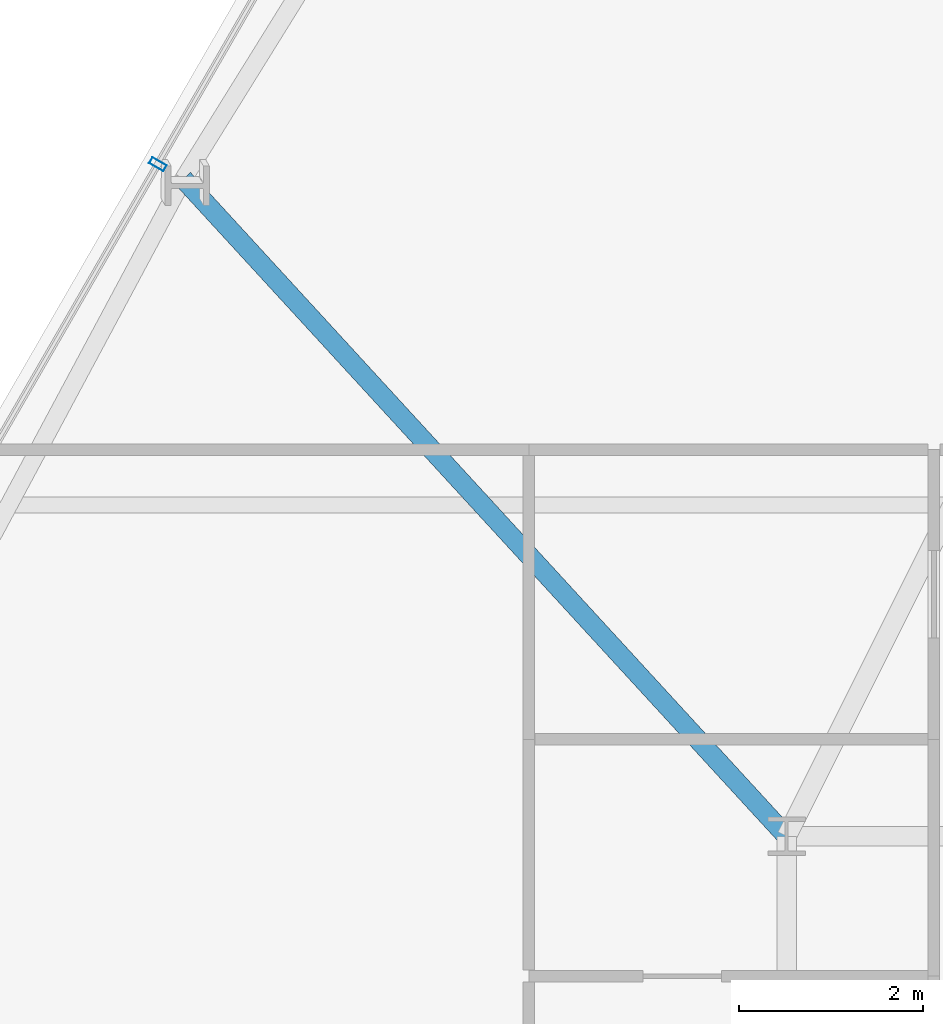
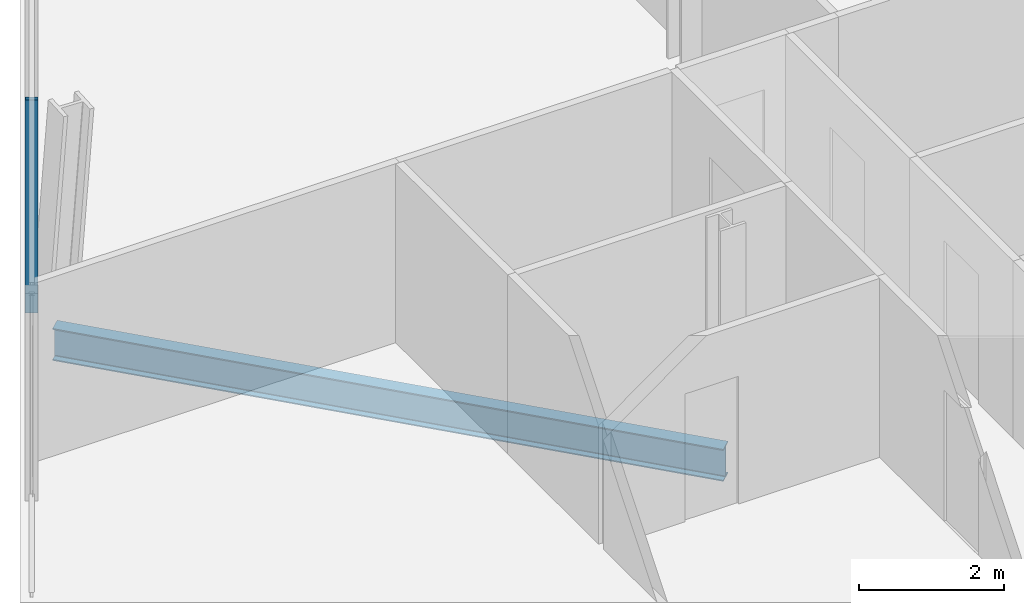
# One storey, part 12 of 32: 1 beam, 1 member, 1 element without a shape of its own.
"""IFC4 building model written with IfcOpenShell, lengths in metres."""

from ifc_helpers import new_model, si_unit, direction, frame, origin, origin_2d, place, context, subcontext, project, spatial, hollow_rectangle, i_section, extrude, material, layer, layer_set, material_profile, profile_set, type_object, element, aggregate, save


model = new_model("IFC4")

# Units and contexts
model_context = context("Model", 3, precision=1e-05, world=origin(), true_north=direction((0.0, 1.0)))
body_context = subcontext(model_context, "Body", "Model", "MODEL_VIEW")
ifc_project = project(units=[si_unit("LENGTHUNIT", "METRE"), si_unit("AREAUNIT", "SQUARE_METRE"), si_unit("VOLUMEUNIT", "CUBIC_METRE"), si_unit("PLANEANGLEUNIT", "RADIAN"), si_unit("MASSUNIT", "GRAM", prefix="KILO")], contexts=[model_context])

# Site, building, storey
site_placement = place(None, origin())
site = spatial("IfcSite", under=ifc_project, at=site_placement, CompositionType="ELEMENT")
building_placement = place(site_placement, origin())
building = spatial("IfcBuilding", under=site, at=building_placement, Name="Ndaravel Arena Tower", CompositionType="ELEMENT")
storey_placement = place(building_placement, frame((0.0, 0.0, 157.39990234375)))
storey = spatial("IfcBuildingStorey", under=building, at=storey_placement, Name="L37", CompositionType="ELEMENT", Elevation=157.39990234375)

# Beam
ifc_material_1 = material(Name="Steel S355", Category="steel")
ifc_material_profile_1 = material_profile(ifc_material_1, i_section(OverallWidth=0.210693359375, OverallDepth=0.53955078125, WebThickness=0.01171875, FlangeThickness=0.018798828125, FilletRadius=0.0126953125, at=origin_2d()), Name="UB 533x210x109")
ifc_profile_set_1 = profile_set([ifc_material_profile_1], Name="Steel S355")
beam_type = type_object("IfcBeamType", Name="BM-GIRD-UB533", PredefinedType="BEAM", material=ifc_profile_set_1)
beam_placement = place(storey_placement, frame((27.647216796875, 30.339599609375, -0.489501953125), z_axis=(0.676176261824, -0.736739888255, 0.0), x_axis=(0.736739888255, 0.676176261824, 0.0)))
element("IfcBeam", 1, at=beam_placement, inside=storey, type_object=beam_type, Name="L37 Radial Floor Girder FG-19", PredefinedType="BEAM", context=body_context, shape_type="SweptSolid", body=[
    extrude(i_section(OverallWidth=0.210693359375, OverallDepth=0.53955078125, WebThickness=0.01171875, FlangeThickness=0.018798828125, FilletRadius=0.0126953125, at=origin_2d()), origin(), (0.0, 0.0, 1.0), 9.69091796875),
])

# Curtain wall, member
ifc_material_2 = material(Name="Aluminium", Category="aluminium")
ifc_layer = layer(ifc_material_2, 0.179931640625)
ifc_layer_set = layer_set([ifc_layer], Name="Aluminium")
curtain_wall_type = type_object("IfcCurtainWallType", Name="CW-SYS-03", PredefinedType="NOTDEFINED", material=ifc_layer_set)
curtain_wall_placement = place(storey_placement, origin())
curtain_wall = element("IfcCurtainWall", 2, at=curtain_wall_placement, inside=storey, type_object=curtain_wall_type, Name="L37 Faceted Crystal Curtain Wall CW-L37-E05", PredefinedType="NOTDEFINED")
ifc_material_3 = material(Name="Aluminium", Category="aluminium")
ifc_material_profile_2 = material_profile(ifc_material_3, hollow_rectangle(XDim=0.074951171875, YDim=0.179931640625, WallThickness=0.00390625, at=origin_2d()), Name="CW MULLION 75x180x4")
ifc_profile_set_2 = profile_set([ifc_material_profile_2], Name="Aluminium")
member_type = type_object("IfcMemberType", Name="MEM-CW-MUL180", PredefinedType="MULLION", material=ifc_profile_set_2)
member_placement = place(storey_placement, frame((27.3701171875, 30.49951171875, 0.0), z_axis=(0.0, 0.0, 1.0), x_axis=(-0.5, -0.866025403784, 0.0)))
member = element("IfcMember", 3, at=member_placement, type_object=member_type, Name="CW-L37-E05 Mullion 04", PredefinedType="MULLION", context=body_context, shape_type="SweptSolid", body=[
    extrude(hollow_rectangle(XDim=0.074951171875, YDim=0.179931640625, WallThickness=0.00390625, at=origin_2d()), origin(), (0.0, 0.0, 1.0), 3.580078125),
])
aggregate(curtain_wall, [member])

save(model, "model.ifc")
